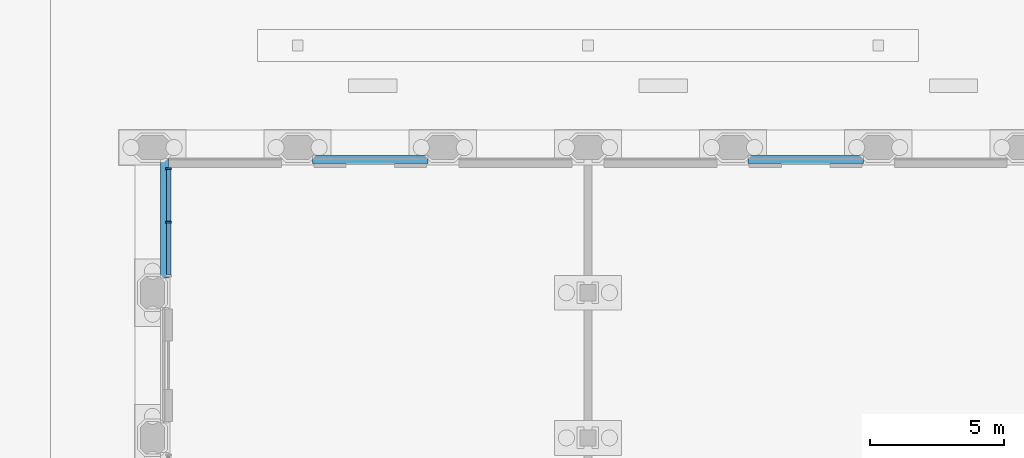
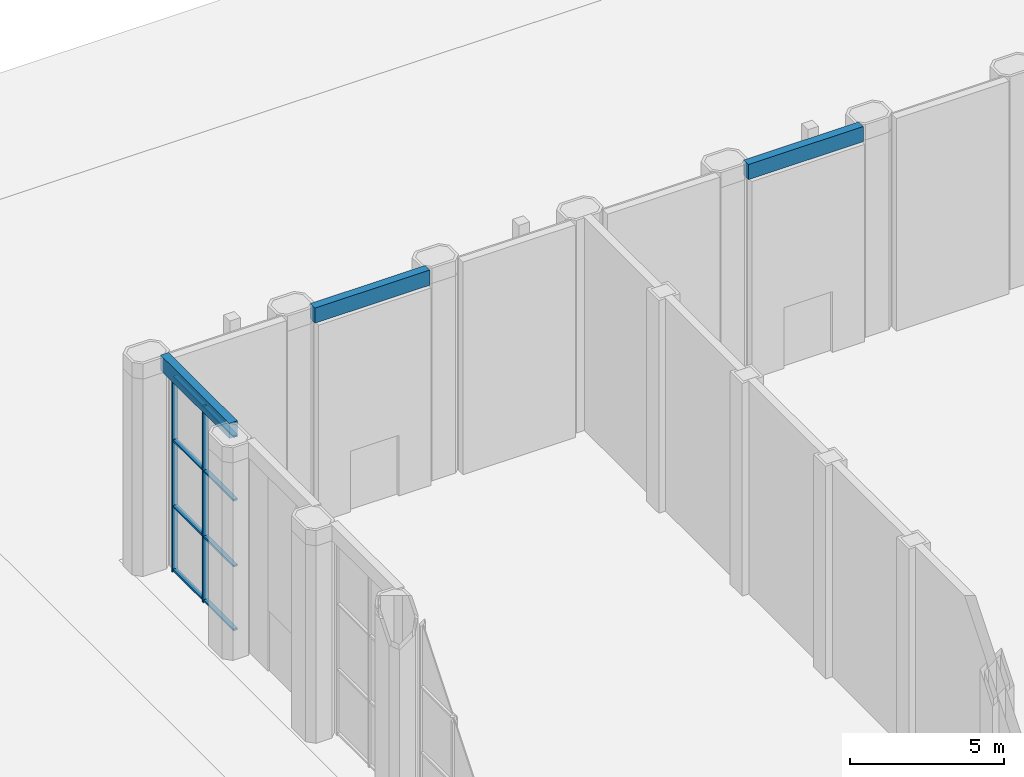
# One storey, part 16 of 54: 10 members, 3 beams, 1 element without a shape of its own.
"""IFC4 building model written with IfcOpenShell, lengths in metres."""

from ifc_helpers import new_model, si_unit, direction, frame, origin, origin_2d, place, context, subcontext, project, spatial, rectangle, extrude, material, material_profile, profile_set, type_object, element, aggregate, save


model = new_model("IFC4")

# Units and contexts
model_context = context("Model", 3, precision=1e-05, world=origin(), true_north=direction((0.0, 1.0)))
body_context = subcontext(model_context, "Body", "Model", "MODEL_VIEW")
ifc_project = project(units=[si_unit("LENGTHUNIT", "METRE"), si_unit("AREAUNIT", "SQUARE_METRE"), si_unit("VOLUMEUNIT", "CUBIC_METRE"), si_unit("PLANEANGLEUNIT", "RADIAN"), si_unit("MASSUNIT", "GRAM", prefix="KILO")], contexts=[model_context])

# Site, building, storey
site_placement = place(None, origin())
site = spatial("IfcSite", under=ifc_project, at=site_placement, CompositionType="ELEMENT")
building_placement = place(site_placement, origin())
building = spatial("IfcBuilding", under=site, at=building_placement, Name="Tabaq Tower and Sports Hall", CompositionType="ELEMENT")
storey_placement = place(building_placement, origin())
storey = spatial("IfcBuildingStorey", under=building, at=storey_placement, Name="L00", CompositionType="ELEMENT", Elevation=0.0)

# Curtain wall, members
ifc_material_1 = material(Name="Aluminium alloy 6063-T6 framed glazing", Category="aluminium")
curtain_wall_type = type_object("IfcCurtainWallType", Name="CW6 curtain wall", PredefinedType="USERDEFINED", material=ifc_material_1)
curtain_wall_placement = place(storey_placement, origin())
curtain_wall = element("IfcCurtainWall", 1, at=curtain_wall_placement, inside=storey, type_object=curtain_wall_type, Name="L00 W hall glazing run", ObjectType="HALL FACADE WALL", PredefinedType="USERDEFINED")
ifc_material_2 = material(Name="Aluminium alloy 6063-T6", Category="aluminium")
ifc_material_profile_1 = material_profile(ifc_material_2, rectangle(XDim=0.199951171875, YDim=0.070068359375, at=origin_2d()), Name="MULLION 200x70")
ifc_profile_set_1 = profile_set([ifc_material_profile_1], Name="Aluminium alloy 6063-T6")
member_type_1 = type_object("IfcMemberType", Name="CW6 mullion 200x70", PredefinedType="MULLION", material=ifc_profile_set_1)
member_1_placement = place(storey_placement, frame((65.39990234375, 40.425048828125, 0.0), z_axis=(0.0, 0.0, 1.0), x_axis=(-1.0, 0.0, 0.0)))
member_1 = element("IfcMember", 2, at=member_1_placement, type_object=member_type_1, Name="CW6 mullion 2", PredefinedType="MULLION", context=body_context, shape_type="SweptSolid", body=[
    extrude(rectangle(XDim=0.199951171875, YDim=0.070068359375, at=origin_2d()), origin(), (0.0, 0.0, 1.0), 7.800048828125),
])
member_2_placement = place(storey_placement, frame((65.39990234375, 42.4150390625, 0.0), z_axis=(0.0, 0.0, 1.0), x_axis=(-1.0, 0.0, 0.0)))
member_2 = element("IfcMember", 3, at=member_2_placement, type_object=member_type_1, Name="CW6 mullion 3", PredefinedType="MULLION", context=body_context, shape_type="SweptSolid", body=[
    extrude(rectangle(XDim=0.199951171875, YDim=0.070068359375, at=origin_2d()), origin(), (0.0, 0.0, 1.0), 7.800048828125),
])
ifc_material_3 = material(Name="Aluminium alloy 6063-T6", Category="aluminium")
ifc_material_profile_2 = material_profile(ifc_material_3, rectangle(XDim=0.159912109375, YDim=0.070068359375, at=origin_2d()), Name="TRANSOM 160x70")
ifc_profile_set_2 = profile_set([ifc_material_profile_2], Name="Aluminium alloy 6063-T6")
member_type_2 = type_object("IfcMemberType", Name="CW6 transom 160x70", PredefinedType="USERDEFINED", material=ifc_profile_set_2)
member_3_placement = place(storey_placement, frame((65.39990234375, 38.469970703125, 0.080078125), z_axis=(0.0, 1.0, 0.0), x_axis=(-1.0, 0.0, 0.0)))
member_3 = element("IfcMember", 4, at=member_3_placement, type_object=member_type_2, Name="CW6 transom 1.1", ObjectType="TRANSOM", PredefinedType="USERDEFINED", context=body_context, shape_type="SweptSolid", body=[
    extrude(rectangle(XDim=0.159912109375, YDim=0.070068359375, at=origin_2d()), origin(), (0.0, 0.0, 1.0), 1.919921875),
])
member_4_placement = place(storey_placement, frame((65.39990234375, 38.469970703125, 2.60009765625), z_axis=(0.0, 1.0, 0.0), x_axis=(-1.0, 0.0, 0.0)))
member_4 = element("IfcMember", 5, at=member_4_placement, type_object=member_type_2, Name="CW6 transom 1.2", ObjectType="TRANSOM", PredefinedType="USERDEFINED", context=body_context, shape_type="SweptSolid", body=[
    extrude(rectangle(XDim=0.159912109375, YDim=0.070068359375, at=origin_2d()), origin(), (0.0, 0.0, 1.0), 1.919921875),
])
member_5_placement = place(storey_placement, frame((65.39990234375, 38.469970703125, 5.199951171875), z_axis=(0.0, 1.0, 0.0), x_axis=(-1.0, 0.0, 0.0)))
member_5 = element("IfcMember", 6, at=member_5_placement, type_object=member_type_2, Name="CW6 transom 1.3", ObjectType="TRANSOM", PredefinedType="USERDEFINED", context=body_context, shape_type="SweptSolid", body=[
    extrude(rectangle(XDim=0.159912109375, YDim=0.070068359375, at=origin_2d()), origin(), (0.0, 0.0, 1.0), 1.919921875),
])
member_6_placement = place(storey_placement, frame((65.39990234375, 38.469970703125, 7.719970703125), z_axis=(0.0, 1.0, 0.0), x_axis=(-1.0, 0.0, 0.0)))
member_6 = element("IfcMember", 7, at=member_6_placement, type_object=member_type_2, Name="CW6 transom 1.4", ObjectType="TRANSOM", PredefinedType="USERDEFINED", context=body_context, shape_type="SweptSolid", body=[
    extrude(rectangle(XDim=0.159912109375, YDim=0.070068359375, at=origin_2d()), origin(), (0.0, 0.0, 1.0), 1.919921875),
])
member_7_placement = place(storey_placement, frame((65.39990234375, 40.4599609375, 0.080078125), z_axis=(0.0, 1.0, 0.0), x_axis=(-1.0, 0.0, 0.0)))
member_7 = element("IfcMember", 8, at=member_7_placement, type_object=member_type_2, Name="CW6 transom 2.1", ObjectType="TRANSOM", PredefinedType="USERDEFINED", context=body_context, shape_type="SweptSolid", body=[
    extrude(rectangle(XDim=0.159912109375, YDim=0.070068359375, at=origin_2d()), origin(), (0.0, 0.0, 1.0), 1.919921875),
])
member_8_placement = place(storey_placement, frame((65.39990234375, 40.4599609375, 2.60009765625), z_axis=(0.0, 1.0, 0.0), x_axis=(-1.0, 0.0, 0.0)))
member_8 = element("IfcMember", 9, at=member_8_placement, type_object=member_type_2, Name="CW6 transom 2.2", ObjectType="TRANSOM", PredefinedType="USERDEFINED", context=body_context, shape_type="SweptSolid", body=[
    extrude(rectangle(XDim=0.159912109375, YDim=0.070068359375, at=origin_2d()), origin(), (0.0, 0.0, 1.0), 1.919921875),
])
member_9_placement = place(storey_placement, frame((65.39990234375, 40.4599609375, 5.199951171875), z_axis=(0.0, 1.0, 0.0), x_axis=(-1.0, 0.0, 0.0)))
member_9 = element("IfcMember", 10, at=member_9_placement, type_object=member_type_2, Name="CW6 transom 2.3", ObjectType="TRANSOM", PredefinedType="USERDEFINED", context=body_context, shape_type="SweptSolid", body=[
    extrude(rectangle(XDim=0.159912109375, YDim=0.070068359375, at=origin_2d()), origin(), (0.0, 0.0, 1.0), 1.919921875),
])
member_10_placement = place(storey_placement, frame((65.39990234375, 40.4599609375, 7.719970703125), z_axis=(0.0, 1.0, 0.0), x_axis=(-1.0, 0.0, 0.0)))
member_10 = element("IfcMember", 11, at=member_10_placement, type_object=member_type_2, Name="CW6 transom 2.4", ObjectType="TRANSOM", PredefinedType="USERDEFINED", context=body_context, shape_type="SweptSolid", body=[
    extrude(rectangle(XDim=0.159912109375, YDim=0.070068359375, at=origin_2d()), origin(), (0.0, 0.0, 1.0), 1.919921875),
])
aggregate(curtain_wall, [member_1, member_2, member_3, member_4, member_5, member_6, member_7, member_8, member_9, member_10])

# Beams
ifc_material_4 = material(Name="Concrete C50/60", Category="concrete")
ifc_material_profile_3 = material_profile(ifc_material_4, rectangle(XDim=0.300048828125, YDim=0.60009765625, at=origin_2d()), Name="RC 300x600")
ifc_profile_set_3 = profile_set([ifc_material_profile_3], Name="Concrete C50/60")
beam_type = type_object("IfcBeamType", Name="HALL SPANDREL BEAM RC 300x600", PredefinedType="BEAM", material=ifc_profile_set_3)
for number, where, z_axis, x_axis, name in (
    (12, (70.75, 42.75, 8.10009765625), (1.0, 0.0, 0.0), (0.0, 1.0, 0.0), "Spandrel beam N01"),
    (13, (86.949951171875, 42.75, 8.10009765625), (1.0, 0.0, 0.0), (0.0, 1.0, 0.0), "Spandrel beam N04"),
):
    element("IfcBeam", number, at=place(storey_placement, frame(where, z_axis=z_axis, x_axis=x_axis)), inside=storey, type_object=beam_type, Name=name, PredefinedType="BEAM", context=body_context, shape_type="SweptSolid", body=[
        extrude(rectangle(XDim=0.300048828125, YDim=0.60009765625, at=origin_2d()), origin(), (0.0, 0.0, 1.0), 4.300048828125),
    ])
beam_placement = place(storey_placement, frame((65.25, 38.35009765625, 8.10009765625), z_axis=(0.0, 1.0, 0.0), x_axis=(-1.0, 0.0, 0.0)))
element("IfcBeam", 14, at=beam_placement, inside=storey, type_object=beam_type, Name="Spandrel beam W07", PredefinedType="BEAM", context=body_context, shape_type="SweptSolid", body=[
    extrude(rectangle(XDim=0.300048828125, YDim=0.60009765625, at=origin_2d()), origin(), (0.0, 0.0, 1.0), 4.449951171875),
])

save(model, "model.ifc")
